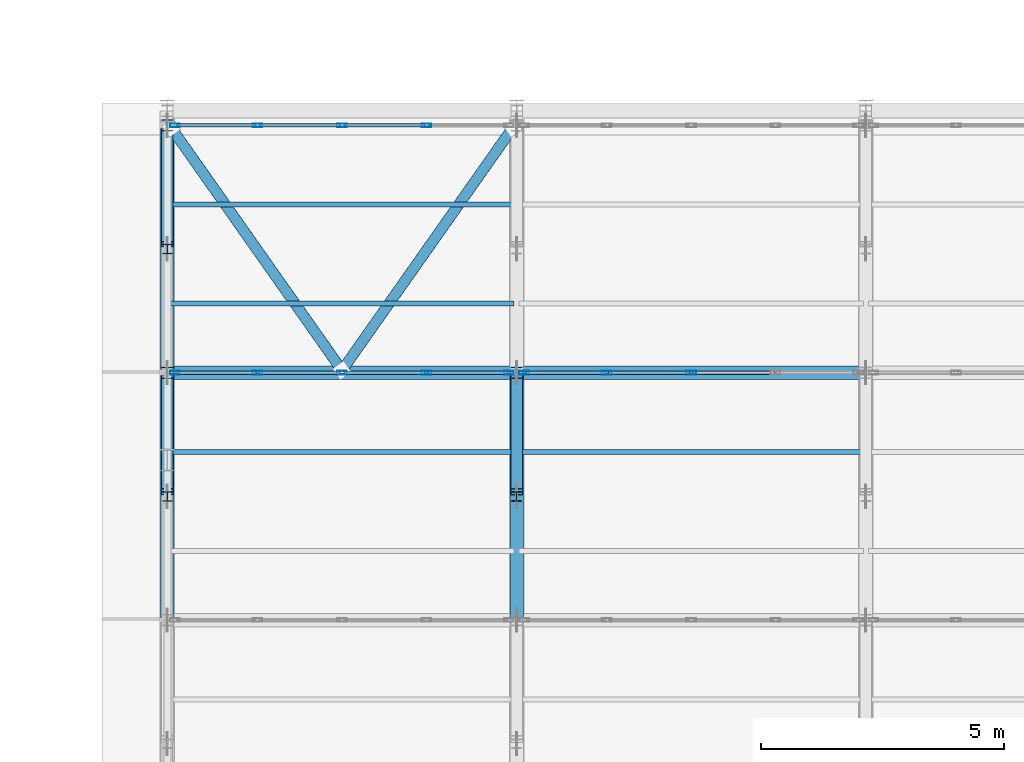
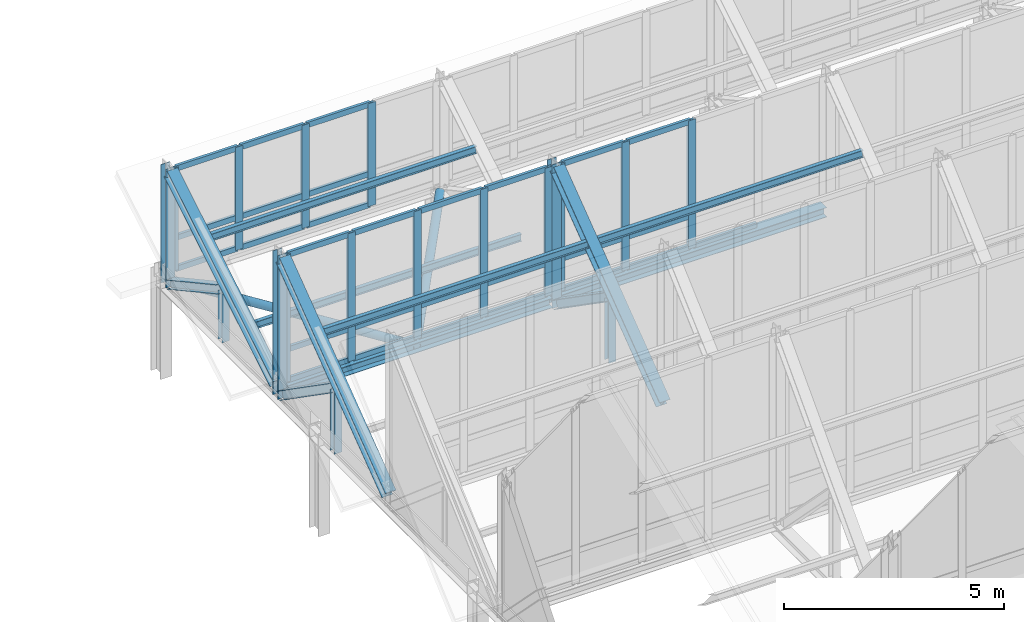
# One storey, part 54 of 157: 58 members, 2 beams, 3 elements without a shape of their own.
"""IFC4 building model written with IfcOpenShell, lengths in metres."""

from ifc_helpers import new_model, si_unit, direction, frame, origin, origin_2d, place, context, subcontext, project, spatial, hollow_rectangle, hollow_circle, i_section, extrude, material, material_profile, profile_set, type_object, element, aggregate, save


model = new_model("IFC4")

# Units and contexts
model_context = context("Model", 3, precision=1e-05, world=origin(), true_north=direction((0.0, 1.0)))
body_context = subcontext(model_context, "Body", "Model", "MODEL_VIEW")
ifc_project = project(units=[si_unit("LENGTHUNIT", "METRE"), si_unit("AREAUNIT", "SQUARE_METRE"), si_unit("VOLUMEUNIT", "CUBIC_METRE"), si_unit("PLANEANGLEUNIT", "RADIAN"), si_unit("MASSUNIT", "GRAM", prefix="KILO")], contexts=[model_context])

# Site, building, storey
site_placement = place(None, origin())
site = spatial("IfcSite", under=ifc_project, at=site_placement, CompositionType="ELEMENT")
building_placement = place(site_placement, origin())
building = spatial("IfcBuilding", under=site, at=building_placement, Name="Suanplinth Sawtooth Commons", CompositionType="ELEMENT")
storey_placement = place(building_placement, frame((0.0, 0.0, 9.0)))
storey = spatial("IfcBuildingStorey", under=building, at=storey_placement, Name="L02", CompositionType="ELEMENT", Elevation=9.0)

# Beams
ifc_material_1 = material(Name="Steel S355JR", Category="steel")
ifc_material_profile_1 = material_profile(ifc_material_1, i_section(OverallWidth=0.280029296875, OverallDepth=0.27001953125, WebThickness=0.008056640625, FlangeThickness=0.012939453125, at=origin_2d()), Name="HEA 280")
ifc_profile_set_1 = profile_set([ifc_material_profile_1], Name="Steel S355JR")
beam_type = type_object("IfcBeamType", Name="B-16", PredefinedType="USERDEFINED", material=ifc_profile_set_1)
for number, where, z_axis, x_axis, name in (
    (1, (64.919921875, 81.0, 2.820068359375), (1.0, 0.0, 0.0), (0.0, 1.0, 0.0), "Sawtooth Valley Girder T7-B1"),
    (2, (72.1201171875, 81.0, 2.820068359375), (1.0, 0.0, 0.0), (0.0, 1.0, 0.0), "Sawtooth Valley Girder T7-B2"),
):
    element("IfcBeam", number, at=place(storey_placement, frame(where, z_axis=z_axis, x_axis=x_axis)), inside=storey, type_object=beam_type, Name=name, ObjectType="GIRDER", PredefinedType="USERDEFINED", context=body_context, shape_type="SweptSolid", body=[
        extrude(i_section(OverallWidth=0.280029296875, OverallDepth=0.27001953125, WebThickness=0.008056640625, FlangeThickness=0.012939453125, at=origin_2d()), origin(), (0.0, 0.0, 1.0), 6.9599609375),
    ])

# Members
ifc_material_profile_2 = material_profile(ifc_material_1, i_section(OverallWidth=0.280029296875, OverallDepth=0.280029296875, WebThickness=0.010498046875, FlangeThickness=0.01806640625, at=origin_2d()), Name="HEB 280")
ifc_profile_set_2 = profile_set([ifc_material_profile_2], Name="Steel S355JR")
member_type_1 = type_object("IfcMemberType", Name="M-02", PredefinedType="CHORD", material=ifc_profile_set_2)
member_1_placement = place(storey_placement, frame((64.800048828125, 76.0400390625, 2.919921875), z_axis=(0.0, 0.799596436712, 0.600537707723), x_axis=(-1.0, 0.0, 0.0)))
element("IfcMember", 3, at=member_1_placement, inside=storey, type_object=member_type_1, Name="Sawtooth Truss T1 Top Chord 6", PredefinedType="CHORD", context=body_context, shape_type="SweptSolid", body=[
    extrude(i_section(OverallWidth=0.280029296875, OverallDepth=0.280029296875, WebThickness=0.010498046875, FlangeThickness=0.01806640625, at=origin_2d()), origin(), (0.0, 0.0, 1.0), 6.028076171875),
])
member_2_placement = place(storey_placement, frame((64.800048828125, 81.139892578125, 2.919921875), z_axis=(0.0, 0.855283356021, 0.51816057445), x_axis=(-1.0, 0.0, 0.0)))
element("IfcMember", 4, at=member_2_placement, inside=storey, type_object=member_type_1, Name="Sawtooth Truss T1 Top Chord 7", PredefinedType="CHORD", context=body_context, shape_type="SweptSolid", body=[
    extrude(i_section(OverallWidth=0.280029296875, OverallDepth=0.280029296875, WebThickness=0.010498046875, FlangeThickness=0.01806640625, at=origin_2d()), origin(), (0.0, 0.0, 1.0), 5.6357421875),
])
member_3_placement = place(storey_placement, frame((72.0, 76.0400390625, 2.919921875), z_axis=(0.0, 0.799596436712, 0.600537707723), x_axis=(-1.0, 0.0, 0.0)))
element("IfcMember", 5, at=member_3_placement, inside=storey, type_object=member_type_1, Name="Sawtooth Truss T2 Top Chord 6", PredefinedType="CHORD", context=body_context, shape_type="SweptSolid", body=[
    extrude(i_section(OverallWidth=0.280029296875, OverallDepth=0.280029296875, WebThickness=0.010498046875, FlangeThickness=0.01806640625, at=origin_2d()), origin(), (0.0, 0.0, 1.0), 6.028076171875),
])
ifc_material_profile_3 = material_profile(ifc_material_1, i_section(OverallWidth=0.239990234375, OverallDepth=0.22998046875, WebThickness=0.007568359375, FlangeThickness=0.011962890625, at=origin_2d()), Name="HEA 240")
ifc_profile_set_3 = profile_set([ifc_material_profile_3], Name="Steel S355JR")
member_type_2 = type_object("IfcMemberType", Name="M-03", PredefinedType="BRACE", material=ifc_profile_set_3)
member_4_placement = place(storey_placement, frame((64.800048828125, 78.550048828125, 4.3701171875), z_axis=(0.0, 0.821010399862, -0.570913236245), x_axis=(-1.0, 0.0, 0.0)))
element("IfcMember", 6, at=member_4_placement, inside=storey, type_object=member_type_2, Name="Sawtooth Truss T1 Web Diagonal 6", PredefinedType="BRACE", context=body_context, shape_type="SweptSolid", body=[
    extrude(i_section(OverallWidth=0.239990234375, OverallDepth=0.22998046875, WebThickness=0.007568359375, FlangeThickness=0.011962890625, at=origin_2d()), origin(), (0.0, 0.0, 1.0), 2.837646484375),
])
member_5_placement = place(storey_placement, frame((64.800048828125, 83.64990234375, 4.02001953125), z_axis=(0.0, 0.878043199154, -0.478581383277), x_axis=(-1.0, 0.0, 0.0)))
element("IfcMember", 7, at=member_5_placement, inside=storey, type_object=member_type_2, Name="Sawtooth Truss T1 Web Diagonal 7", PredefinedType="BRACE", context=body_context, shape_type="SweptSolid", body=[
    extrude(i_section(OverallWidth=0.239990234375, OverallDepth=0.22998046875, WebThickness=0.007568359375, FlangeThickness=0.011962890625, at=origin_2d()), origin(), (0.0, 0.0, 1.0), 2.65380859375),
])
member_6_placement = place(storey_placement, frame((72.0, 78.550048828125, 4.3701171875), z_axis=(0.0, 0.821010399862, -0.570913236245), x_axis=(-1.0, 0.0, 0.0)))
element("IfcMember", 8, at=member_6_placement, inside=storey, type_object=member_type_2, Name="Sawtooth Truss T2 Web Diagonal 6", PredefinedType="BRACE", context=body_context, shape_type="SweptSolid", body=[
    extrude(i_section(OverallWidth=0.239990234375, OverallDepth=0.22998046875, WebThickness=0.007568359375, FlangeThickness=0.011962890625, at=origin_2d()), origin(), (0.0, 0.0, 1.0), 2.837646484375),
])
ifc_material_profile_4 = material_profile(ifc_material_1, i_section(OverallWidth=0.199951171875, OverallDepth=0.18994140625, WebThickness=0.006591796875, FlangeThickness=0.010009765625, at=origin_2d()), Name="HEA 200")
ifc_profile_set_4 = profile_set([ifc_material_profile_4], Name="Steel S355JR")
member_type_3 = type_object("IfcMemberType", Name="M-04", PredefinedType="BRACE", material=ifc_profile_set_4)
member_7_placement = place(storey_placement, frame((64.800048828125, 78.449951171875, 2.64990234375), z_axis=(0.0, 0.0, 1.0), x_axis=(1.0, 0.0, 0.0)))
element("IfcMember", 9, at=member_7_placement, inside=storey, type_object=member_type_3, Name="Sawtooth Truss T1 Mid Web Post 6", PredefinedType="BRACE", context=body_context, shape_type="SweptSolid", body=[
    extrude(i_section(OverallWidth=0.199951171875, OverallDepth=0.18994140625, WebThickness=0.006591796875, FlangeThickness=0.010009765625, at=origin_2d()), origin(), (0.0, 0.0, 1.0), 1.7001953125),
])
member_8_placement = place(storey_placement, frame((64.800048828125, 83.550048828125, 2.64990234375), z_axis=(0.0, 0.0, 1.0), x_axis=(1.0, 0.0, 0.0)))
element("IfcMember", 10, at=member_8_placement, inside=storey, type_object=member_type_3, Name="Sawtooth Truss T1 Mid Web Post 7", PredefinedType="BRACE", context=body_context, shape_type="SweptSolid", body=[
    extrude(i_section(OverallWidth=0.199951171875, OverallDepth=0.18994140625, WebThickness=0.006591796875, FlangeThickness=0.010009765625, at=origin_2d()), origin(), (0.0, 0.0, 1.0), 1.35009765625),
])
member_9_placement = place(storey_placement, frame((72.0, 78.449951171875, 2.64990234375), z_axis=(0.0, 0.0, 1.0), x_axis=(1.0, 0.0, 0.0)))
element("IfcMember", 11, at=member_9_placement, inside=storey, type_object=member_type_3, Name="Sawtooth Truss T2 Mid Web Post 6", PredefinedType="BRACE", context=body_context, shape_type="SweptSolid", body=[
    extrude(i_section(OverallWidth=0.199951171875, OverallDepth=0.18994140625, WebThickness=0.006591796875, FlangeThickness=0.010009765625, at=origin_2d()), origin(), (0.0, 0.0, 1.0), 1.7001953125),
])
ifc_material_profile_5 = material_profile(ifc_material_1, i_section(OverallWidth=0.239990234375, OverallDepth=0.239990234375, WebThickness=0.010009765625, FlangeThickness=0.01708984375, at=origin_2d()), Name="HEB 240")
ifc_profile_set_5 = profile_set([ifc_material_profile_5], Name="Steel S355JR")
member_type_4 = type_object("IfcMemberType", Name="M-05", PredefinedType="POST", material=ifc_profile_set_5)
member_10_placement = place(storey_placement, frame((64.800048828125, 81.0, 2.64990234375), z_axis=(0.0, 0.0, 1.0), x_axis=(1.0, 0.0, 0.0)))
element("IfcMember", 12, at=member_10_placement, inside=storey, type_object=member_type_4, Name="Sawtooth Truss T1 Clerestory Post 6", PredefinedType="POST", context=body_context, shape_type="SweptSolid", body=[
    extrude(i_section(OverallWidth=0.239990234375, OverallDepth=0.239990234375, WebThickness=0.010009765625, FlangeThickness=0.01708984375, at=origin_2d()), origin(), (0.0, 0.0, 1.0), 3.989990234375),
])
member_11_placement = place(storey_placement, frame((64.800048828125, 86.10009765625, 2.64990234375), z_axis=(0.0, 0.0, 1.0), x_axis=(1.0, 0.0, 0.0)))
element("IfcMember", 13, at=member_11_placement, inside=storey, type_object=member_type_4, Name="Sawtooth Truss T1 Clerestory Post 7", PredefinedType="POST", context=body_context, shape_type="SweptSolid", body=[
    extrude(i_section(OverallWidth=0.239990234375, OverallDepth=0.239990234375, WebThickness=0.010009765625, FlangeThickness=0.01708984375, at=origin_2d()), origin(), (0.0, 0.0, 1.0), 3.2900390625),
])
member_12_placement = place(storey_placement, frame((72.0, 81.0, 2.64990234375), z_axis=(0.0, 0.0, 1.0), x_axis=(1.0, 0.0, 0.0)))
element("IfcMember", 14, at=member_12_placement, inside=storey, type_object=member_type_4, Name="Sawtooth Truss T2 Clerestory Post 6", PredefinedType="POST", context=body_context, shape_type="SweptSolid", body=[
    extrude(i_section(OverallWidth=0.239990234375, OverallDepth=0.239990234375, WebThickness=0.010009765625, FlangeThickness=0.01708984375, at=origin_2d()), origin(), (0.0, 0.0, 1.0), 3.989990234375),
])
ifc_material_2 = material(Name="Steel SS400", Category="steel")
ifc_material_profile_6 = material_profile(ifc_material_2, i_section(OverallWidth=0.10009765625, OverallDepth=0.199951171875, WebThickness=0.005615234375, FlangeThickness=0.008544921875, at=origin_2d()), Name="IPE 200")
ifc_profile_set_6 = profile_set([ifc_material_profile_6], Name="Steel SS400")
member_type_5 = type_object("IfcMemberType", Name="M-06", PredefinedType="PURLIN", material=ifc_profile_set_6)
for number, where, z_axis, x_axis, name in (
    (15, (64.85009765625, 79.367919921875, 5.353515625), (1.0, 0.0, 0.0), (0.0, 1.0, 0.0), "Sawtooth Roof Purlin T6-B1-P2"),
    (16, (72.050048828125, 79.367919921875, 5.353515625), (1.0, 0.0, 0.0), (0.0, 1.0, 0.0), "Sawtooth Roof Purlin T6-B2-P2"),
    (17, (64.85009765625, 82.427978515625, 3.691162109375), (1.0, 0.0, 0.0), (0.0, 1.0, 0.0), "Sawtooth Roof Purlin T7-B1-P1"),
    (18, (64.85009765625, 84.468017578125, 4.89111328125), (1.0, 0.0, 0.0), (0.0, 1.0, 0.0), "Sawtooth Roof Purlin T7-B1-P2"),
):
    element("IfcMember", number, at=place(storey_placement, frame(where, z_axis=z_axis, x_axis=x_axis)), inside=storey, type_object=member_type_5, Name=name, PredefinedType="PURLIN", context=body_context, shape_type="SweptSolid", body=[
        extrude(i_section(OverallWidth=0.10009765625, OverallDepth=0.199951171875, WebThickness=0.005615234375, FlangeThickness=0.008544921875, at=origin_2d()), origin(), (0.0, 0.0, 1.0), 7.099853515625),
    ])
ifc_material_profile_7 = material_profile(ifc_material_1, hollow_circle(Radius=0.109619140625, WallThickness=0.010009765625, at=origin_2d()), Name="CHS 219.1x10")
ifc_profile_set_7 = profile_set([ifc_material_profile_7], Name="Steel S355JR")
member_type_6 = type_object("IfcMemberType", Name="M-08", PredefinedType="BRACE", material=ifc_profile_set_7)
for number, where, z_axis, x_axis, name in (
    (19, (64.8798828125, 86.050048828125, 2.75), (0.575657568644, -0.817690872924, 0.0), (0.817690872924, 0.575657568644, 0.0), "Sawtooth Roof Plan Brace B1-3"),
    (20, (71.919921875, 86.050048828125, 2.75), (-0.575657568644, -0.817690872924, 0.0), (0.817690872924, -0.575657568644, 0.0), "Sawtooth Roof Plan Brace B1-4"),
):
    element("IfcMember", number, at=place(storey_placement, frame(where, z_axis=z_axis, x_axis=x_axis)), inside=storey, type_object=member_type_6, Name=name, PredefinedType="BRACE", context=body_context, shape_type="SweptSolid", body=[
        extrude(hollow_circle(Radius=0.109619140625, WallThickness=0.010009765625, at=origin_2d()), origin(), (0.0, 0.0, 1.0), 6.11474609375),
    ])

# Curtain wall, members
ifc_material_3 = material(Name="Anodized aluminium and low-E glazing", Category="aluminium")
curtain_wall_type = type_object("IfcCurtainWallType", Name="CW-03", PredefinedType="USERDEFINED", material=ifc_material_3)
curtain_wall_1_placement = place(storey_placement, origin())
curtain_wall_1 = element("IfcCurtainWall", 21, at=curtain_wall_1_placement, inside=storey, type_object=curtain_wall_type, Name="Curtain Wall CW-SAW-T6-B1", ObjectType="CURTAIN WALL", PredefinedType="USERDEFINED")
ifc_material_4 = material(Name="Anodized aluminium 6063-T6", Category="aluminium")
ifc_material_profile_8 = material_profile(ifc_material_4, hollow_rectangle(XDim=0.074951171875, YDim=0.199951171875, WallThickness=0.0048828125, at=origin_2d()), Name="ALU-MUL 75x200")
ifc_profile_set_8 = profile_set([ifc_material_profile_8], Name="Anodized aluminium 6063-T6")
member_type_7 = type_object("IfcMemberType", Name="M-14", PredefinedType="MULLION", material=ifc_profile_set_8)
member_13_placement = place(storey_placement, frame((64.95751953125, 81.0, 2.97998046875), z_axis=(0.0, 0.0, 1.0), x_axis=(0.0, 1.0, 0.0)))
member_13 = element("IfcMember", 22, at=member_13_placement, type_object=member_type_7, Name="CW-03 mullion 1", PredefinedType="MULLION", context=body_context, shape_type="SweptSolid", body=[
    extrude(hollow_rectangle(XDim=0.074951171875, YDim=0.199951171875, WallThickness=0.0048828125, at=origin_2d()), origin(), (0.0, 0.0, 1.0), 3.56005859375),
])
member_14_placement = place(storey_placement, frame((66.659912109375, 81.0, 2.97998046875), z_axis=(0.0, 0.0, 1.0), x_axis=(0.0, 1.0, 0.0)))
member_14 = element("IfcMember", 23, at=member_14_placement, type_object=member_type_7, Name="CW-03 mullion 2", PredefinedType="MULLION", context=body_context, shape_type="SweptSolid", body=[
    extrude(hollow_rectangle(XDim=0.074951171875, YDim=0.199951171875, WallThickness=0.0048828125, at=origin_2d()), origin(), (0.0, 0.0, 1.0), 3.56005859375),
])
member_15_placement = place(storey_placement, frame((68.39990234375, 81.0, 2.97998046875), z_axis=(0.0, 0.0, 1.0), x_axis=(0.0, 1.0, 0.0)))
member_15 = element("IfcMember", 24, at=member_15_placement, type_object=member_type_7, Name="CW-03 mullion 3", PredefinedType="MULLION", context=body_context, shape_type="SweptSolid", body=[
    extrude(hollow_rectangle(XDim=0.074951171875, YDim=0.199951171875, WallThickness=0.0048828125, at=origin_2d()), origin(), (0.0, 0.0, 1.0), 3.56005859375),
])
member_16_placement = place(storey_placement, frame((70.139892578125, 81.0, 2.97998046875), z_axis=(0.0, 0.0, 1.0), x_axis=(0.0, 1.0, 0.0)))
member_16 = element("IfcMember", 25, at=member_16_placement, type_object=member_type_7, Name="CW-03 mullion 4", PredefinedType="MULLION", context=body_context, shape_type="SweptSolid", body=[
    extrude(hollow_rectangle(XDim=0.074951171875, YDim=0.199951171875, WallThickness=0.0048828125, at=origin_2d()), origin(), (0.0, 0.0, 1.0), 3.56005859375),
])
member_17_placement = place(storey_placement, frame((71.842529296875, 81.0, 2.97998046875), z_axis=(0.0, 0.0, 1.0), x_axis=(0.0, 1.0, 0.0)))
member_17 = element("IfcMember", 26, at=member_17_placement, type_object=member_type_7, Name="CW-03 mullion 5", PredefinedType="MULLION", context=body_context, shape_type="SweptSolid", body=[
    extrude(hollow_rectangle(XDim=0.074951171875, YDim=0.199951171875, WallThickness=0.0048828125, at=origin_2d()), origin(), (0.0, 0.0, 1.0), 3.56005859375),
])

curtain_wall_2_placement = place(storey_placement, origin())
curtain_wall_2 = element("IfcCurtainWall", 27, at=curtain_wall_2_placement, inside=storey, type_object=curtain_wall_type, Name="Curtain Wall CW-SAW-T6-B2", ObjectType="CURTAIN WALL", PredefinedType="USERDEFINED")
member_18_placement = place(storey_placement, frame((72.157470703125, 81.0, 2.97998046875), z_axis=(0.0, 0.0, 1.0), x_axis=(0.0, 1.0, 0.0)))
member_18 = element("IfcMember", 28, at=member_18_placement, type_object=member_type_7, Name="CW-03 mullion 1", PredefinedType="MULLION", context=body_context, shape_type="SweptSolid", body=[
    extrude(hollow_rectangle(XDim=0.074951171875, YDim=0.199951171875, WallThickness=0.0048828125, at=origin_2d()), origin(), (0.0, 0.0, 1.0), 3.56005859375),
])
member_19_placement = place(storey_placement, frame((73.860107421875, 81.0, 2.97998046875), z_axis=(0.0, 0.0, 1.0), x_axis=(0.0, 1.0, 0.0)))
member_19 = element("IfcMember", 29, at=member_19_placement, type_object=member_type_7, Name="CW-03 mullion 2", PredefinedType="MULLION", context=body_context, shape_type="SweptSolid", body=[
    extrude(hollow_rectangle(XDim=0.074951171875, YDim=0.199951171875, WallThickness=0.0048828125, at=origin_2d()), origin(), (0.0, 0.0, 1.0), 3.56005859375),
])
member_20_placement = place(storey_placement, frame((75.60009765625, 81.0, 2.97998046875), z_axis=(0.0, 0.0, 1.0), x_axis=(0.0, 1.0, 0.0)))
member_20 = element("IfcMember", 30, at=member_20_placement, type_object=member_type_7, Name="CW-03 mullion 3", PredefinedType="MULLION", context=body_context, shape_type="SweptSolid", body=[
    extrude(hollow_rectangle(XDim=0.074951171875, YDim=0.199951171875, WallThickness=0.0048828125, at=origin_2d()), origin(), (0.0, 0.0, 1.0), 3.56005859375),
])

curtain_wall_3_placement = place(storey_placement, origin())
curtain_wall_3 = element("IfcCurtainWall", 31, at=curtain_wall_3_placement, inside=storey, type_object=curtain_wall_type, Name="Curtain Wall CW-SAW-T7-B1", ObjectType="CURTAIN WALL", PredefinedType="USERDEFINED")
member_21_placement = place(storey_placement, frame((64.95751953125, 86.10009765625, 2.97998046875), z_axis=(0.0, 0.0, 1.0), x_axis=(0.0, 1.0, 0.0)))
member_21 = element("IfcMember", 32, at=member_21_placement, type_object=member_type_7, Name="CW-03 mullion 1", PredefinedType="MULLION", context=body_context, shape_type="SweptSolid", body=[
    extrude(hollow_rectangle(XDim=0.074951171875, YDim=0.199951171875, WallThickness=0.0048828125, at=origin_2d()), origin(), (0.0, 0.0, 1.0), 2.860107421875),
])
member_22_placement = place(storey_placement, frame((66.659912109375, 86.10009765625, 2.97998046875), z_axis=(0.0, 0.0, 1.0), x_axis=(0.0, 1.0, 0.0)))
member_22 = element("IfcMember", 33, at=member_22_placement, type_object=member_type_7, Name="CW-03 mullion 2", PredefinedType="MULLION", context=body_context, shape_type="SweptSolid", body=[
    extrude(hollow_rectangle(XDim=0.074951171875, YDim=0.199951171875, WallThickness=0.0048828125, at=origin_2d()), origin(), (0.0, 0.0, 1.0), 2.860107421875),
])
member_23_placement = place(storey_placement, frame((68.39990234375, 86.10009765625, 2.97998046875), z_axis=(0.0, 0.0, 1.0), x_axis=(0.0, 1.0, 0.0)))
member_23 = element("IfcMember", 34, at=member_23_placement, type_object=member_type_7, Name="CW-03 mullion 3", PredefinedType="MULLION", context=body_context, shape_type="SweptSolid", body=[
    extrude(hollow_rectangle(XDim=0.074951171875, YDim=0.199951171875, WallThickness=0.0048828125, at=origin_2d()), origin(), (0.0, 0.0, 1.0), 2.860107421875),
])
member_24_placement = place(storey_placement, frame((70.139892578125, 86.10009765625, 2.97998046875), z_axis=(0.0, 0.0, 1.0), x_axis=(0.0, 1.0, 0.0)))
member_24 = element("IfcMember", 35, at=member_24_placement, type_object=member_type_7, Name="CW-03 mullion 4", PredefinedType="MULLION", context=body_context, shape_type="SweptSolid", body=[
    extrude(hollow_rectangle(XDim=0.074951171875, YDim=0.199951171875, WallThickness=0.0048828125, at=origin_2d()), origin(), (0.0, 0.0, 1.0), 2.860107421875),
])

# Member
ifc_material_profile_9 = material_profile(ifc_material_4, hollow_rectangle(XDim=0.074951171875, YDim=0.14990234375, WallThickness=0.00439453125, at=origin_2d()), Name="ALU-TRN 75x150")
ifc_profile_set_9 = profile_set([ifc_material_profile_9], Name="Anodized aluminium 6063-T6")
member_type_8 = type_object("IfcMemberType", Name="M-16", PredefinedType="USERDEFINED", material=ifc_profile_set_9)
member_25_placement = place(storey_placement, frame((64.9951171875, 81.0, 3.017578125), z_axis=(1.0, 0.0, 0.0), x_axis=(0.0, 1.0, 0.0)))
member_25 = element("IfcMember", 36, at=member_25_placement, type_object=member_type_8, Name="CW-03 transom 1.1", ObjectType="TRANSOM", PredefinedType="USERDEFINED", context=body_context, shape_type="SweptSolid", body=[
    extrude(hollow_rectangle(XDim=0.074951171875, YDim=0.14990234375, WallThickness=0.00439453125, at=origin_2d()), origin(), (0.0, 0.0, 1.0), 1.62744140625),
])

member_26_placement = place(storey_placement, frame((64.9951171875, 81.0, 3.8798828125), z_axis=(1.0, 0.0, 0.0), x_axis=(0.0, 1.0, 0.0)))
member_26 = element("IfcMember", 37, at=member_26_placement, type_object=member_type_8, Name="CW-03 transom 1.2", ObjectType="TRANSOM", PredefinedType="USERDEFINED", context=body_context, shape_type="SweptSolid", body=[
    extrude(hollow_rectangle(XDim=0.074951171875, YDim=0.14990234375, WallThickness=0.00439453125, at=origin_2d()), origin(), (0.0, 0.0, 1.0), 1.62744140625),
])

member_27_placement = place(storey_placement, frame((64.9951171875, 81.0, 6.50244140625), z_axis=(1.0, 0.0, 0.0), x_axis=(0.0, 1.0, 0.0)))
member_27 = element("IfcMember", 38, at=member_27_placement, type_object=member_type_8, Name="CW-03 transom 1.3", ObjectType="TRANSOM", PredefinedType="USERDEFINED", context=body_context, shape_type="SweptSolid", body=[
    extrude(hollow_rectangle(XDim=0.074951171875, YDim=0.14990234375, WallThickness=0.00439453125, at=origin_2d()), origin(), (0.0, 0.0, 1.0), 1.62744140625),
])

member_28_placement = place(storey_placement, frame((66.697509765625, 81.0, 3.017578125), z_axis=(1.0, 0.0, 0.0), x_axis=(0.0, 1.0, 0.0)))
member_28 = element("IfcMember", 39, at=member_28_placement, type_object=member_type_8, Name="CW-03 transom 2.1", ObjectType="TRANSOM", PredefinedType="USERDEFINED", context=body_context, shape_type="SweptSolid", body=[
    extrude(hollow_rectangle(XDim=0.074951171875, YDim=0.14990234375, WallThickness=0.00439453125, at=origin_2d()), origin(), (0.0, 0.0, 1.0), 1.6650390625),
])

member_29_placement = place(storey_placement, frame((66.697509765625, 81.0, 3.8798828125), z_axis=(1.0, 0.0, 0.0), x_axis=(0.0, 1.0, 0.0)))
member_29 = element("IfcMember", 40, at=member_29_placement, type_object=member_type_8, Name="CW-03 transom 2.2", ObjectType="TRANSOM", PredefinedType="USERDEFINED", context=body_context, shape_type="SweptSolid", body=[
    extrude(hollow_rectangle(XDim=0.074951171875, YDim=0.14990234375, WallThickness=0.00439453125, at=origin_2d()), origin(), (0.0, 0.0, 1.0), 1.6650390625),
])

member_30_placement = place(storey_placement, frame((66.697509765625, 81.0, 6.50244140625), z_axis=(1.0, 0.0, 0.0), x_axis=(0.0, 1.0, 0.0)))
member_30 = element("IfcMember", 41, at=member_30_placement, type_object=member_type_8, Name="CW-03 transom 2.3", ObjectType="TRANSOM", PredefinedType="USERDEFINED", context=body_context, shape_type="SweptSolid", body=[
    extrude(hollow_rectangle(XDim=0.074951171875, YDim=0.14990234375, WallThickness=0.00439453125, at=origin_2d()), origin(), (0.0, 0.0, 1.0), 1.6650390625),
])

member_31_placement = place(storey_placement, frame((68.4375, 81.0, 3.017578125), z_axis=(1.0, 0.0, 0.0), x_axis=(0.0, 1.0, 0.0)))
member_31 = element("IfcMember", 42, at=member_31_placement, type_object=member_type_8, Name="CW-03 transom 3.1", ObjectType="TRANSOM", PredefinedType="USERDEFINED", context=body_context, shape_type="SweptSolid", body=[
    extrude(hollow_rectangle(XDim=0.074951171875, YDim=0.14990234375, WallThickness=0.00439453125, at=origin_2d()), origin(), (0.0, 0.0, 1.0), 1.6650390625),
])

member_32_placement = place(storey_placement, frame((68.4375, 81.0, 3.8798828125), z_axis=(1.0, 0.0, 0.0), x_axis=(0.0, 1.0, 0.0)))
member_32 = element("IfcMember", 43, at=member_32_placement, type_object=member_type_8, Name="CW-03 transom 3.2", ObjectType="TRANSOM", PredefinedType="USERDEFINED", context=body_context, shape_type="SweptSolid", body=[
    extrude(hollow_rectangle(XDim=0.074951171875, YDim=0.14990234375, WallThickness=0.00439453125, at=origin_2d()), origin(), (0.0, 0.0, 1.0), 1.6650390625),
])

member_33_placement = place(storey_placement, frame((68.4375, 81.0, 6.50244140625), z_axis=(1.0, 0.0, 0.0), x_axis=(0.0, 1.0, 0.0)))
member_33 = element("IfcMember", 44, at=member_33_placement, type_object=member_type_8, Name="CW-03 transom 3.3", ObjectType="TRANSOM", PredefinedType="USERDEFINED", context=body_context, shape_type="SweptSolid", body=[
    extrude(hollow_rectangle(XDim=0.074951171875, YDim=0.14990234375, WallThickness=0.00439453125, at=origin_2d()), origin(), (0.0, 0.0, 1.0), 1.6650390625),
])

member_34_placement = place(storey_placement, frame((70.177490234375, 81.0, 3.017578125), z_axis=(1.0, 0.0, 0.0), x_axis=(0.0, 1.0, 0.0)))
member_34 = element("IfcMember", 45, at=member_34_placement, type_object=member_type_8, Name="CW-03 transom 4.1", ObjectType="TRANSOM", PredefinedType="USERDEFINED", context=body_context, shape_type="SweptSolid", body=[
    extrude(hollow_rectangle(XDim=0.074951171875, YDim=0.14990234375, WallThickness=0.00439453125, at=origin_2d()), origin(), (0.0, 0.0, 1.0), 1.62744140625),
])

member_35_placement = place(storey_placement, frame((70.177490234375, 81.0, 3.8798828125), z_axis=(1.0, 0.0, 0.0), x_axis=(0.0, 1.0, 0.0)))
member_35 = element("IfcMember", 46, at=member_35_placement, type_object=member_type_8, Name="CW-03 transom 4.2", ObjectType="TRANSOM", PredefinedType="USERDEFINED", context=body_context, shape_type="SweptSolid", body=[
    extrude(hollow_rectangle(XDim=0.074951171875, YDim=0.14990234375, WallThickness=0.00439453125, at=origin_2d()), origin(), (0.0, 0.0, 1.0), 1.62744140625),
])

member_36_placement = place(storey_placement, frame((70.177490234375, 81.0, 6.50244140625), z_axis=(1.0, 0.0, 0.0), x_axis=(0.0, 1.0, 0.0)))
member_36 = element("IfcMember", 47, at=member_36_placement, type_object=member_type_8, Name="CW-03 transom 4.3", ObjectType="TRANSOM", PredefinedType="USERDEFINED", context=body_context, shape_type="SweptSolid", body=[
    extrude(hollow_rectangle(XDim=0.074951171875, YDim=0.14990234375, WallThickness=0.00439453125, at=origin_2d()), origin(), (0.0, 0.0, 1.0), 1.62744140625),
])

aggregate(curtain_wall_1, [member_13, member_14, member_15, member_16, member_17, member_25, member_26, member_27, member_28, member_29, member_30, member_31, member_32, member_33, member_34, member_35, member_36])

member_37_placement = place(storey_placement, frame((72.195068359375, 81.0, 3.017578125), z_axis=(1.0, 0.0, 0.0), x_axis=(0.0, 1.0, 0.0)))
member_37 = element("IfcMember", 48, at=member_37_placement, type_object=member_type_8, Name="CW-03 transom 1.1", ObjectType="TRANSOM", PredefinedType="USERDEFINED", context=body_context, shape_type="SweptSolid", body=[
    extrude(hollow_rectangle(XDim=0.074951171875, YDim=0.14990234375, WallThickness=0.00439453125, at=origin_2d()), origin(), (0.0, 0.0, 1.0), 1.62744140625),
])

member_38_placement = place(storey_placement, frame((72.195068359375, 81.0, 3.8798828125), z_axis=(1.0, 0.0, 0.0), x_axis=(0.0, 1.0, 0.0)))
member_38 = element("IfcMember", 49, at=member_38_placement, type_object=member_type_8, Name="CW-03 transom 1.2", ObjectType="TRANSOM", PredefinedType="USERDEFINED", context=body_context, shape_type="SweptSolid", body=[
    extrude(hollow_rectangle(XDim=0.074951171875, YDim=0.14990234375, WallThickness=0.00439453125, at=origin_2d()), origin(), (0.0, 0.0, 1.0), 1.62744140625),
])

member_39_placement = place(storey_placement, frame((72.195068359375, 81.0, 6.50244140625), z_axis=(1.0, 0.0, 0.0), x_axis=(0.0, 1.0, 0.0)))
member_39 = element("IfcMember", 50, at=member_39_placement, type_object=member_type_8, Name="CW-03 transom 1.3", ObjectType="TRANSOM", PredefinedType="USERDEFINED", context=body_context, shape_type="SweptSolid", body=[
    extrude(hollow_rectangle(XDim=0.074951171875, YDim=0.14990234375, WallThickness=0.00439453125, at=origin_2d()), origin(), (0.0, 0.0, 1.0), 1.62744140625),
])

member_40_placement = place(storey_placement, frame((73.8974609375, 81.0, 3.017578125), z_axis=(1.0, 0.0, 0.0), x_axis=(0.0, 1.0, 0.0)))
member_40 = element("IfcMember", 51, at=member_40_placement, type_object=member_type_8, Name="CW-03 transom 2.1", ObjectType="TRANSOM", PredefinedType="USERDEFINED", context=body_context, shape_type="SweptSolid", body=[
    extrude(hollow_rectangle(XDim=0.074951171875, YDim=0.14990234375, WallThickness=0.00439453125, at=origin_2d()), origin(), (0.0, 0.0, 1.0), 1.6650390625),
])

member_41_placement = place(storey_placement, frame((73.8974609375, 81.0, 3.8798828125), z_axis=(1.0, 0.0, 0.0), x_axis=(0.0, 1.0, 0.0)))
member_41 = element("IfcMember", 52, at=member_41_placement, type_object=member_type_8, Name="CW-03 transom 2.2", ObjectType="TRANSOM", PredefinedType="USERDEFINED", context=body_context, shape_type="SweptSolid", body=[
    extrude(hollow_rectangle(XDim=0.074951171875, YDim=0.14990234375, WallThickness=0.00439453125, at=origin_2d()), origin(), (0.0, 0.0, 1.0), 1.6650390625),
])

member_42_placement = place(storey_placement, frame((73.8974609375, 81.0, 6.50244140625), z_axis=(1.0, 0.0, 0.0), x_axis=(0.0, 1.0, 0.0)))
member_42 = element("IfcMember", 53, at=member_42_placement, type_object=member_type_8, Name="CW-03 transom 2.3", ObjectType="TRANSOM", PredefinedType="USERDEFINED", context=body_context, shape_type="SweptSolid", body=[
    extrude(hollow_rectangle(XDim=0.074951171875, YDim=0.14990234375, WallThickness=0.00439453125, at=origin_2d()), origin(), (0.0, 0.0, 1.0), 1.6650390625),
])

member_43_placement = place(storey_placement, frame((75.637451171875, 81.0, 3.017578125), z_axis=(1.0, 0.0, 0.0), x_axis=(0.0, 1.0, 0.0)))
member_43 = element("IfcMember", 54, at=member_43_placement, type_object=member_type_8, Name="CW-03 transom 3.1", ObjectType="TRANSOM", PredefinedType="USERDEFINED", context=body_context, shape_type="SweptSolid", body=[
    extrude(hollow_rectangle(XDim=0.074951171875, YDim=0.14990234375, WallThickness=0.00439453125, at=origin_2d()), origin(), (0.0, 0.0, 1.0), 1.6650390625),
])

aggregate(curtain_wall_2, [member_18, member_19, member_20, member_37, member_38, member_39, member_40, member_41, member_42, member_43])

member_44_placement = place(storey_placement, frame((64.9951171875, 86.10009765625, 3.017578125), z_axis=(1.0, 0.0, 0.0), x_axis=(0.0, 1.0, 0.0)))
member_44 = element("IfcMember", 55, at=member_44_placement, type_object=member_type_8, Name="CW-03 transom 1.1", ObjectType="TRANSOM", PredefinedType="USERDEFINED", context=body_context, shape_type="SweptSolid", body=[
    extrude(hollow_rectangle(XDim=0.074951171875, YDim=0.14990234375, WallThickness=0.00439453125, at=origin_2d()), origin(), (0.0, 0.0, 1.0), 1.62744140625),
])

member_45_placement = place(storey_placement, frame((64.9951171875, 86.10009765625, 3.8798828125), z_axis=(1.0, 0.0, 0.0), x_axis=(0.0, 1.0, 0.0)))
member_45 = element("IfcMember", 56, at=member_45_placement, type_object=member_type_8, Name="CW-03 transom 1.2", ObjectType="TRANSOM", PredefinedType="USERDEFINED", context=body_context, shape_type="SweptSolid", body=[
    extrude(hollow_rectangle(XDim=0.074951171875, YDim=0.14990234375, WallThickness=0.00439453125, at=origin_2d()), origin(), (0.0, 0.0, 1.0), 1.62744140625),
])

member_46_placement = place(storey_placement, frame((64.9951171875, 86.10009765625, 5.802490234375), z_axis=(1.0, 0.0, 0.0), x_axis=(0.0, 1.0, 0.0)))
member_46 = element("IfcMember", 57, at=member_46_placement, type_object=member_type_8, Name="CW-03 transom 1.3", ObjectType="TRANSOM", PredefinedType="USERDEFINED", context=body_context, shape_type="SweptSolid", body=[
    extrude(hollow_rectangle(XDim=0.074951171875, YDim=0.14990234375, WallThickness=0.00439453125, at=origin_2d()), origin(), (0.0, 0.0, 1.0), 1.62744140625),
])

member_47_placement = place(storey_placement, frame((66.697509765625, 86.10009765625, 3.017578125), z_axis=(1.0, 0.0, 0.0), x_axis=(0.0, 1.0, 0.0)))
member_47 = element("IfcMember", 58, at=member_47_placement, type_object=member_type_8, Name="CW-03 transom 2.1", ObjectType="TRANSOM", PredefinedType="USERDEFINED", context=body_context, shape_type="SweptSolid", body=[
    extrude(hollow_rectangle(XDim=0.074951171875, YDim=0.14990234375, WallThickness=0.00439453125, at=origin_2d()), origin(), (0.0, 0.0, 1.0), 1.6650390625),
])

member_48_placement = place(storey_placement, frame((66.697509765625, 86.10009765625, 3.8798828125), z_axis=(1.0, 0.0, 0.0), x_axis=(0.0, 1.0, 0.0)))
member_48 = element("IfcMember", 59, at=member_48_placement, type_object=member_type_8, Name="CW-03 transom 2.2", ObjectType="TRANSOM", PredefinedType="USERDEFINED", context=body_context, shape_type="SweptSolid", body=[
    extrude(hollow_rectangle(XDim=0.074951171875, YDim=0.14990234375, WallThickness=0.00439453125, at=origin_2d()), origin(), (0.0, 0.0, 1.0), 1.6650390625),
])

member_49_placement = place(storey_placement, frame((66.697509765625, 86.10009765625, 5.802490234375), z_axis=(1.0, 0.0, 0.0), x_axis=(0.0, 1.0, 0.0)))
member_49 = element("IfcMember", 60, at=member_49_placement, type_object=member_type_8, Name="CW-03 transom 2.3", ObjectType="TRANSOM", PredefinedType="USERDEFINED", context=body_context, shape_type="SweptSolid", body=[
    extrude(hollow_rectangle(XDim=0.074951171875, YDim=0.14990234375, WallThickness=0.00439453125, at=origin_2d()), origin(), (0.0, 0.0, 1.0), 1.6650390625),
])

member_50_placement = place(storey_placement, frame((68.4375, 86.10009765625, 3.017578125), z_axis=(1.0, 0.0, 0.0), x_axis=(0.0, 1.0, 0.0)))
member_50 = element("IfcMember", 61, at=member_50_placement, type_object=member_type_8, Name="CW-03 transom 3.1", ObjectType="TRANSOM", PredefinedType="USERDEFINED", context=body_context, shape_type="SweptSolid", body=[
    extrude(hollow_rectangle(XDim=0.074951171875, YDim=0.14990234375, WallThickness=0.00439453125, at=origin_2d()), origin(), (0.0, 0.0, 1.0), 1.6650390625),
])

member_51_placement = place(storey_placement, frame((68.4375, 86.10009765625, 3.8798828125), z_axis=(1.0, 0.0, 0.0), x_axis=(0.0, 1.0, 0.0)))
member_51 = element("IfcMember", 62, at=member_51_placement, type_object=member_type_8, Name="CW-03 transom 3.2", ObjectType="TRANSOM", PredefinedType="USERDEFINED", context=body_context, shape_type="SweptSolid", body=[
    extrude(hollow_rectangle(XDim=0.074951171875, YDim=0.14990234375, WallThickness=0.00439453125, at=origin_2d()), origin(), (0.0, 0.0, 1.0), 1.6650390625),
])

member_52_placement = place(storey_placement, frame((68.4375, 86.10009765625, 5.802490234375), z_axis=(1.0, 0.0, 0.0), x_axis=(0.0, 1.0, 0.0)))
member_52 = element("IfcMember", 63, at=member_52_placement, type_object=member_type_8, Name="CW-03 transom 3.3", ObjectType="TRANSOM", PredefinedType="USERDEFINED", context=body_context, shape_type="SweptSolid", body=[
    extrude(hollow_rectangle(XDim=0.074951171875, YDim=0.14990234375, WallThickness=0.00439453125, at=origin_2d()), origin(), (0.0, 0.0, 1.0), 1.6650390625),
])

aggregate(curtain_wall_3, [member_21, member_22, member_23, member_24, member_44, member_45, member_46, member_47, member_48, member_49, member_50, member_51, member_52])

save(model, "model.ifc")
